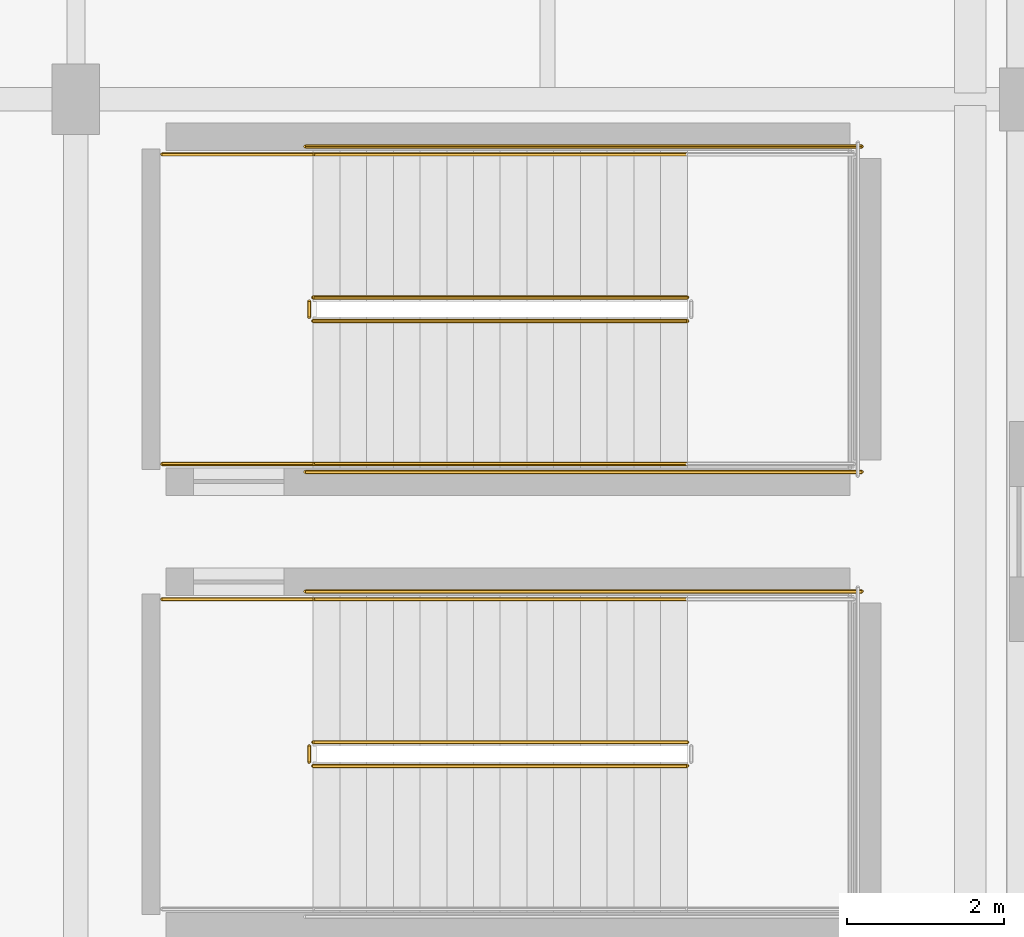
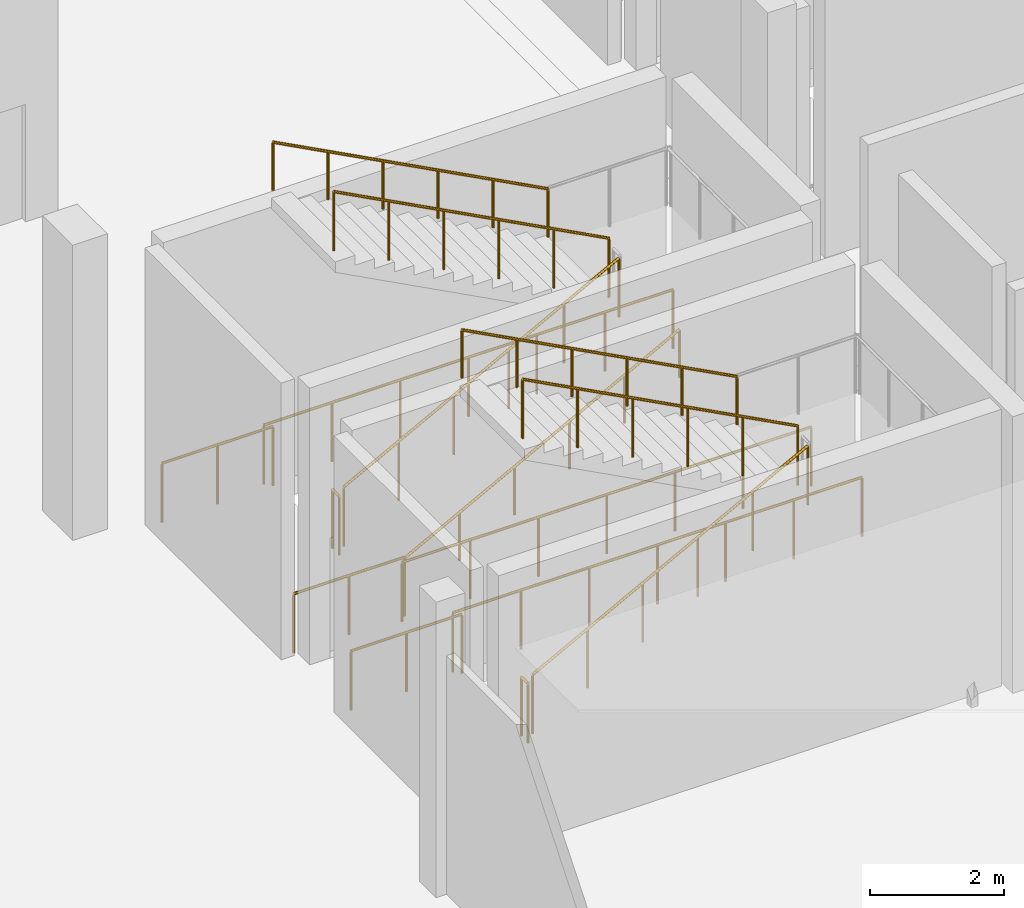
# One storey, part 113 of 120: 15 railings.
"""IFC4 building model written with IfcOpenShell, lengths in metres."""

from ifc_helpers import new_model, si_unit, direction, frame, origin, origin_2d, place, context, subcontext, project, spatial, circle, extrude, material, type_object, element, save


model = new_model("IFC4")

# Units and contexts
model_context = context("Model", 3, precision=1e-05, world=origin(), true_north=direction((0.0, 1.0)))
body_context = subcontext(model_context, "Body", "Model", "MODEL_VIEW")
ifc_project = project(units=[si_unit("LENGTHUNIT", "METRE"), si_unit("AREAUNIT", "SQUARE_METRE"), si_unit("VOLUMEUNIT", "CUBIC_METRE"), si_unit("PLANEANGLEUNIT", "RADIAN"), si_unit("MASSUNIT", "GRAM", prefix="KILO")], contexts=[model_context])

# Site, building, storey
site_placement = place(None, origin())
site = spatial("IfcSite", under=ifc_project, at=site_placement, CompositionType="ELEMENT")
building_placement = place(site_placement, origin())
building = spatial("IfcBuilding", under=site, at=building_placement, Name="Luwafu Chhajja Arena", CompositionType="ELEMENT")
storey_placement = place(building_placement, origin())
storey = spatial("IfcBuildingStorey", under=building, at=storey_placement, Name="L00", CompositionType="ELEMENT", Elevation=0.0)

# Railings
ifc_material_1 = material(Name="Stainless steel handrail", Category="steel")
railing_type_1 = type_object("IfcRailingType", Name="Stair Pitch Wall Handrail 920", PredefinedType="HANDRAIL", material=ifc_material_1)
railing_1_placement = place(storey_placement, frame((159.780029296875, 48.639892578125, 2.8798828125)))
element("IfcRailing", 1, at=railing_1_placement, inside=storey, type_object=railing_type_1, Name="L00 ST-11 stair handrail 2", PredefinedType="HANDRAIL", context=body_context, shape_type="SweptSolid", body=[
    extrude(circle(Radius=0.02392578125, at=origin_2d()), frame((0.0, 0.0, 0.8759765625), z_axis=(-0.883786813738, 0.0, 0.467889803119), x_axis=(0.0, -1.0, 0.0)), (0.0, 0.0, 1.0), 5.385986328125),
    extrude(circle(Radius=0.02099609375, at=origin_2d()), origin(), (0.0, 0.0, 1.0), 0.851806640625),
    extrude(circle(Radius=0.02099609375, at=origin_2d()), frame((-0.951904296875, 0.0, 0.50390625)), (0.0, 0.0, 1.0), 0.851806640625),
    extrude(circle(Radius=0.02099609375, at=origin_2d()), frame((-1.904052734375, 0.0, 1.008056640625)), (0.0, 0.0, 1.0), 0.851806640625),
    extrude(circle(Radius=0.02099609375, at=origin_2d()), frame((-2.85595703125, 0.0, 1.511962890625)), (0.0, 0.0, 1.0), 0.851806640625),
    extrude(circle(Radius=0.02099609375, at=origin_2d()), frame((-3.80810546875, 0.0, 2.01611328125)), (0.0, 0.0, 1.0), 0.851806640625),
    extrude(circle(Radius=0.02099609375, at=origin_2d()), frame((-4.760009765625, 0.0, 2.52001953125)), (0.0, 0.0, 1.0), 0.851806640625),
])
railing_2_placement = place(storey_placement, frame((155.02001953125, 50.360107421875, 0.179931640625)))
element("IfcRailing", 2, at=railing_2_placement, inside=storey, type_object=railing_type_1, Name="L00 ST-12 stair handrail 1", PredefinedType="HANDRAIL", context=body_context, shape_type="SweptSolid", body=[
    extrude(circle(Radius=0.02392578125, at=origin_2d()), frame((0.0, 0.0, 0.8759765625), z_axis=(0.883786813738, 0.0, 0.467889803119), x_axis=(0.0, 1.0, 0.0)), (0.0, 0.0, 1.0), 5.385986328125),
    extrude(circle(Radius=0.02099609375, at=origin_2d()), origin(), (0.0, 0.0, 1.0), 0.851806640625),
    extrude(circle(Radius=0.02099609375, at=origin_2d()), frame((0.951904296875, 0.0, 0.50390625)), (0.0, 0.0, 1.0), 0.851806640625),
    extrude(circle(Radius=0.02099609375, at=origin_2d()), frame((1.904052734375, 0.0, 1.008056640625)), (0.0, 0.0, 1.0), 0.851806640625),
    extrude(circle(Radius=0.02099609375, at=origin_2d()), frame((2.85595703125, 0.0, 1.511962890625)), (0.0, 0.0, 1.0), 0.851806640625),
    extrude(circle(Radius=0.02099609375, at=origin_2d()), frame((3.80810546875, 0.0, 2.01611328125)), (0.0, 0.0, 1.0), 0.851806640625),
    extrude(circle(Radius=0.02099609375, at=origin_2d()), frame((4.760009765625, 0.0, 2.52001953125)), (0.0, 0.0, 1.0), 0.851806640625),
])
railing_3_placement = place(storey_placement, frame((159.780029296875, 54.300048828125, 2.8798828125)))
element("IfcRailing", 3, at=railing_3_placement, inside=storey, type_object=railing_type_1, Name="L00 ST-12 stair handrail 2", PredefinedType="HANDRAIL", context=body_context, shape_type="SweptSolid", body=[
    extrude(circle(Radius=0.02392578125, at=origin_2d()), frame((0.0, 0.0, 0.8759765625), z_axis=(-0.883786813738, 0.0, 0.467889803119), x_axis=(0.0, -1.0, 0.0)), (0.0, 0.0, 1.0), 5.385986328125),
    extrude(circle(Radius=0.02099609375, at=origin_2d()), origin(), (0.0, 0.0, 1.0), 0.851806640625),
    extrude(circle(Radius=0.02099609375, at=origin_2d()), frame((-0.951904296875, 0.0, 0.50390625)), (0.0, 0.0, 1.0), 0.851806640625),
    extrude(circle(Radius=0.02099609375, at=origin_2d()), frame((-1.904052734375, 0.0, 1.008056640625)), (0.0, 0.0, 1.0), 0.851806640625),
    extrude(circle(Radius=0.02099609375, at=origin_2d()), frame((-2.85595703125, 0.0, 1.511962890625)), (0.0, 0.0, 1.0), 0.851806640625),
    extrude(circle(Radius=0.02099609375, at=origin_2d()), frame((-3.80810546875, 0.0, 2.01611328125)), (0.0, 0.0, 1.0), 0.851806640625),
    extrude(circle(Radius=0.02099609375, at=origin_2d()), frame((-4.760009765625, 0.0, 2.52001953125)), (0.0, 0.0, 1.0), 0.851806640625),
])
ifc_material_2 = material(Name="Stainless steel balustrade", Category="steel")
railing_type_2 = type_object("IfcRailingType", Name="Stair and Terrace Guard Balustrade 1100", PredefinedType="BALUSTRADE", material=ifc_material_2)
railing_4_placement = place(storey_placement, frame((155.02001953125, 46.52001953125, 0.179931640625)))
element("IfcRailing", 4, at=railing_4_placement, inside=storey, type_object=railing_type_2, Name="L00 ST-11 stair guard 1", PredefinedType="BALUSTRADE", context=body_context, shape_type="SweptSolid", body=[
    extrude(circle(Radius=0.02392578125, at=origin_2d()), frame((0.0, 0.0, 1.076171875), z_axis=(0.883786813738, 0.0, 0.467889803119), x_axis=(0.0, 1.0, 0.0)), (0.0, 0.0, 1.0), 5.385986328125),
    extrude(circle(Radius=0.02099609375, at=origin_2d()), origin(), (0.0, 0.0, 1.0), 1.052001953125),
    extrude(circle(Radius=0.02099609375, at=origin_2d()), frame((0.951904296875, 0.0, 0.50390625)), (0.0, 0.0, 1.0), 1.052001953125),
    extrude(circle(Radius=0.02099609375, at=origin_2d()), frame((1.904052734375, 0.0, 1.008056640625)), (0.0, 0.0, 1.0), 1.052001953125),
    extrude(circle(Radius=0.02099609375, at=origin_2d()), frame((2.85595703125, 0.0, 1.511962890625)), (0.0, 0.0, 1.0), 1.052001953125),
    extrude(circle(Radius=0.02099609375, at=origin_2d()), frame((3.80810546875, 0.0, 2.01611328125)), (0.0, 0.0, 1.0), 1.052001953125),
    extrude(circle(Radius=0.02099609375, at=origin_2d()), frame((4.760009765625, 0.0, 2.52001953125)), (0.0, 0.0, 1.0), 1.052001953125),
])
railing_5_placement = place(storey_placement, frame((159.780029296875, 46.820068359375, 2.8798828125)))
element("IfcRailing", 5, at=railing_5_placement, inside=storey, type_object=railing_type_2, Name="L00 ST-11 stair guard 6", PredefinedType="BALUSTRADE", context=body_context, shape_type="SweptSolid", body=[
    extrude(circle(Radius=0.02392578125, at=origin_2d()), frame((0.0, 0.0, 1.076171875), z_axis=(-0.883786813738, 0.0, 0.467889803119), x_axis=(0.0, -1.0, 0.0)), (0.0, 0.0, 1.0), 5.385986328125),
    extrude(circle(Radius=0.02099609375, at=origin_2d()), origin(), (0.0, 0.0, 1.0), 1.052001953125),
    extrude(circle(Radius=0.02099609375, at=origin_2d()), frame((-0.951904296875, 0.0, 0.50390625)), (0.0, 0.0, 1.0), 1.052001953125),
    extrude(circle(Radius=0.02099609375, at=origin_2d()), frame((-1.904052734375, 0.0, 1.008056640625)), (0.0, 0.0, 1.0), 1.052001953125),
    extrude(circle(Radius=0.02099609375, at=origin_2d()), frame((-2.85595703125, 0.0, 1.511962890625)), (0.0, 0.0, 1.0), 1.052001953125),
    extrude(circle(Radius=0.02099609375, at=origin_2d()), frame((-3.80810546875, 0.0, 2.01611328125)), (0.0, 0.0, 1.0), 1.052001953125),
    extrude(circle(Radius=0.02099609375, at=origin_2d()), frame((-4.760009765625, 0.0, 2.52001953125)), (0.0, 0.0, 1.0), 1.052001953125),
])
railing_6_placement = place(storey_placement, frame((154.969970703125, 46.570068359375, 0.0)))
element("IfcRailing", 6, at=railing_6_placement, inside=storey, type_object=railing_type_2, Name="L00 ST-11 stair guard 7", PredefinedType="BALUSTRADE", context=body_context, shape_type="SweptSolid", body=[
    extrude(circle(Radius=0.02392578125, at=origin_2d()), frame((0.0, 0.0, 1.076171875), z_axis=(0.0, 1.0, 0.0), x_axis=(-1.0, 0.0, 0.0)), (0.0, 0.0, 1.0), 0.199951171875),
    extrude(circle(Radius=0.02099609375, at=origin_2d()), origin(), (0.0, 0.0, 1.0), 1.052001953125),
    extrude(circle(Radius=0.02099609375, at=origin_2d()), frame((0.0, 0.199951171875, 0.0)), (0.0, 0.0, 1.0), 1.052001953125),
])
railing_7_placement = place(storey_placement, frame((153.10009765625, 48.639892578125, 0.0)))
element("IfcRailing", 7, at=railing_7_placement, inside=storey, type_object=railing_type_2, Name="L00 ST-11 stair guard 9", PredefinedType="BALUSTRADE", context=body_context, shape_type="SweptSolid", body=[
    extrude(circle(Radius=0.02392578125, at=origin_2d()), frame((0.0, 0.0, 1.076171875), z_axis=(1.0, 0.0, 0.0), x_axis=(0.0, 1.0, 0.0)), (0.0, 0.0, 1.0), 1.919921875),
    extrude(circle(Radius=0.02099609375, at=origin_2d()), origin(), (0.0, 0.0, 1.0), 1.052001953125),
    extrude(circle(Radius=0.02099609375, at=origin_2d()), frame((0.9599609375, 0.0, 0.0)), (0.0, 0.0, 1.0), 1.052001953125),
    extrude(circle(Radius=0.02099609375, at=origin_2d()), frame((1.919921875, 0.0, 0.0)), (0.0, 0.0, 1.0), 1.052001953125),
])
railing_8_placement = place(storey_placement, frame((154.919921875, 48.739990234375, 0.0)))
element("IfcRailing", 8, at=railing_8_placement, inside=storey, type_object=railing_type_2, Name="L00 ST-11 stair guard 11", PredefinedType="BALUSTRADE", context=body_context, shape_type="SweptSolid", body=[
    extrude(circle(Radius=0.02392578125, at=origin_2d()), frame((0.0, 0.0, 1.076171875), z_axis=(1.0, 0.0, 0.0), x_axis=(0.0, 1.0, 0.0)), (0.0, 0.0, 1.0), 7.080078125),
    extrude(circle(Radius=0.02099609375, at=origin_2d()), origin(), (0.0, 0.0, 1.0), 1.052001953125),
    extrude(circle(Radius=0.02099609375, at=origin_2d()), frame((1.179931640625, 0.0, 0.0)), (0.0, 0.0, 1.0), 1.052001953125),
    extrude(circle(Radius=0.02099609375, at=origin_2d()), frame((2.360107421875, 0.0, 0.0)), (0.0, 0.0, 1.0), 1.052001953125),
    extrude(circle(Radius=0.02099609375, at=origin_2d()), frame((3.5400390625, 0.0, 0.0)), (0.0, 0.0, 1.0), 1.052001953125),
    extrude(circle(Radius=0.02099609375, at=origin_2d()), frame((4.719970703125, 0.0, 0.0)), (0.0, 0.0, 1.0), 1.052001953125),
    extrude(circle(Radius=0.02099609375, at=origin_2d()), frame((5.900146484375, 0.0, 0.0)), (0.0, 0.0, 1.0), 1.052001953125),
    extrude(circle(Radius=0.02099609375, at=origin_2d()), frame((7.080078125, 0.0, 0.0)), (0.0, 0.0, 1.0), 1.052001953125),
])
railing_9_placement = place(storey_placement, frame((155.02001953125, 52.179931640625, 0.179931640625)))
element("IfcRailing", 9, at=railing_9_placement, inside=storey, type_object=railing_type_2, Name="L00 ST-12 stair guard 1", PredefinedType="BALUSTRADE", context=body_context, shape_type="SweptSolid", body=[
    extrude(circle(Radius=0.02392578125, at=origin_2d()), frame((0.0, 0.0, 1.076171875), z_axis=(0.883786813738, 0.0, 0.467889803119), x_axis=(0.0, 1.0, 0.0)), (0.0, 0.0, 1.0), 5.385986328125),
    extrude(circle(Radius=0.02099609375, at=origin_2d()), origin(), (0.0, 0.0, 1.0), 1.052001953125),
    extrude(circle(Radius=0.02099609375, at=origin_2d()), frame((0.951904296875, 0.0, 0.50390625)), (0.0, 0.0, 1.0), 1.052001953125),
    extrude(circle(Radius=0.02099609375, at=origin_2d()), frame((1.904052734375, 0.0, 1.008056640625)), (0.0, 0.0, 1.0), 1.052001953125),
    extrude(circle(Radius=0.02099609375, at=origin_2d()), frame((2.85595703125, 0.0, 1.511962890625)), (0.0, 0.0, 1.0), 1.052001953125),
    extrude(circle(Radius=0.02099609375, at=origin_2d()), frame((3.80810546875, 0.0, 2.01611328125)), (0.0, 0.0, 1.0), 1.052001953125),
    extrude(circle(Radius=0.02099609375, at=origin_2d()), frame((4.760009765625, 0.0, 2.52001953125)), (0.0, 0.0, 1.0), 1.052001953125),
])
railing_10_placement = place(storey_placement, frame((159.780029296875, 52.47998046875, 2.8798828125)))
element("IfcRailing", 10, at=railing_10_placement, inside=storey, type_object=railing_type_2, Name="L00 ST-12 stair guard 6", PredefinedType="BALUSTRADE", context=body_context, shape_type="SweptSolid", body=[
    extrude(circle(Radius=0.02392578125, at=origin_2d()), frame((0.0, 0.0, 1.076171875), z_axis=(-0.883786813738, 0.0, 0.467889803119), x_axis=(0.0, -1.0, 0.0)), (0.0, 0.0, 1.0), 5.385986328125),
    extrude(circle(Radius=0.02099609375, at=origin_2d()), origin(), (0.0, 0.0, 1.0), 1.052001953125),
    extrude(circle(Radius=0.02099609375, at=origin_2d()), frame((-0.951904296875, 0.0, 0.50390625)), (0.0, 0.0, 1.0), 1.052001953125),
    extrude(circle(Radius=0.02099609375, at=origin_2d()), frame((-1.904052734375, 0.0, 1.008056640625)), (0.0, 0.0, 1.0), 1.052001953125),
    extrude(circle(Radius=0.02099609375, at=origin_2d()), frame((-2.85595703125, 0.0, 1.511962890625)), (0.0, 0.0, 1.0), 1.052001953125),
    extrude(circle(Radius=0.02099609375, at=origin_2d()), frame((-3.80810546875, 0.0, 2.01611328125)), (0.0, 0.0, 1.0), 1.052001953125),
    extrude(circle(Radius=0.02099609375, at=origin_2d()), frame((-4.760009765625, 0.0, 2.52001953125)), (0.0, 0.0, 1.0), 1.052001953125),
])
railing_11_placement = place(storey_placement, frame((154.969970703125, 52.22998046875, 0.0)))
element("IfcRailing", 11, at=railing_11_placement, inside=storey, type_object=railing_type_2, Name="L00 ST-12 stair guard 7", PredefinedType="BALUSTRADE", context=body_context, shape_type="SweptSolid", body=[
    extrude(circle(Radius=0.02392578125, at=origin_2d()), frame((0.0, 0.0, 1.076171875), z_axis=(0.0, 1.0, 0.0), x_axis=(-1.0, 0.0, 0.0)), (0.0, 0.0, 1.0), 0.199951171875),
    extrude(circle(Radius=0.02099609375, at=origin_2d()), origin(), (0.0, 0.0, 1.0), 1.052001953125),
    extrude(circle(Radius=0.02099609375, at=origin_2d()), frame((0.0, 0.199951171875, 0.0)), (0.0, 0.0, 1.0), 1.052001953125),
])
for number, where, name in (
    (12, (153.10009765625, 50.360107421875, 0.0), "L00 ST-12 stair guard 8"),
    (13, (153.10009765625, 54.300048828125, 0.0), "L00 ST-12 stair guard 9"),
):
    element("IfcRailing", number, at=place(storey_placement, frame(where)), inside=storey, type_object=railing_type_2, Name=name, PredefinedType="BALUSTRADE", context=body_context, shape_type="SweptSolid", body=[
        extrude(circle(Radius=0.02392578125, at=origin_2d()), frame((0.0, 0.0, 1.076171875), z_axis=(1.0, 0.0, 0.0), x_axis=(0.0, 1.0, 0.0)), (0.0, 0.0, 1.0), 1.919921875),
        extrude(circle(Radius=0.02099609375, at=origin_2d()), origin(), (0.0, 0.0, 1.0), 1.052001953125),
        extrude(circle(Radius=0.02099609375, at=origin_2d()), frame((0.9599609375, 0.0, 0.0)), (0.0, 0.0, 1.0), 1.052001953125),
        extrude(circle(Radius=0.02099609375, at=origin_2d()), frame((1.919921875, 0.0, 0.0)), (0.0, 0.0, 1.0), 1.052001953125),
    ])
for number, where, name in (
    (14, (154.919921875, 50.260009765625, 0.0), "L00 ST-12 stair guard 10"),
    (15, (154.919921875, 54.39990234375, 0.0), "L00 ST-12 stair guard 11"),
):
    element("IfcRailing", number, at=place(storey_placement, frame(where)), inside=storey, type_object=railing_type_2, Name=name, PredefinedType="BALUSTRADE", context=body_context, shape_type="SweptSolid", body=[
        extrude(circle(Radius=0.02392578125, at=origin_2d()), frame((0.0, 0.0, 1.076171875), z_axis=(1.0, 0.0, 0.0), x_axis=(0.0, 1.0, 0.0)), (0.0, 0.0, 1.0), 7.080078125),
        extrude(circle(Radius=0.02099609375, at=origin_2d()), origin(), (0.0, 0.0, 1.0), 1.052001953125),
        extrude(circle(Radius=0.02099609375, at=origin_2d()), frame((1.179931640625, 0.0, 0.0)), (0.0, 0.0, 1.0), 1.052001953125),
        extrude(circle(Radius=0.02099609375, at=origin_2d()), frame((2.360107421875, 0.0, 0.0)), (0.0, 0.0, 1.0), 1.052001953125),
        extrude(circle(Radius=0.02099609375, at=origin_2d()), frame((3.5400390625, 0.0, 0.0)), (0.0, 0.0, 1.0), 1.052001953125),
        extrude(circle(Radius=0.02099609375, at=origin_2d()), frame((4.719970703125, 0.0, 0.0)), (0.0, 0.0, 1.0), 1.052001953125),
        extrude(circle(Radius=0.02099609375, at=origin_2d()), frame((5.900146484375, 0.0, 0.0)), (0.0, 0.0, 1.0), 1.052001953125),
        extrude(circle(Radius=0.02099609375, at=origin_2d()), frame((7.080078125, 0.0, 0.0)), (0.0, 0.0, 1.0), 1.052001953125),
    ])

save(model, "model.ifc")
